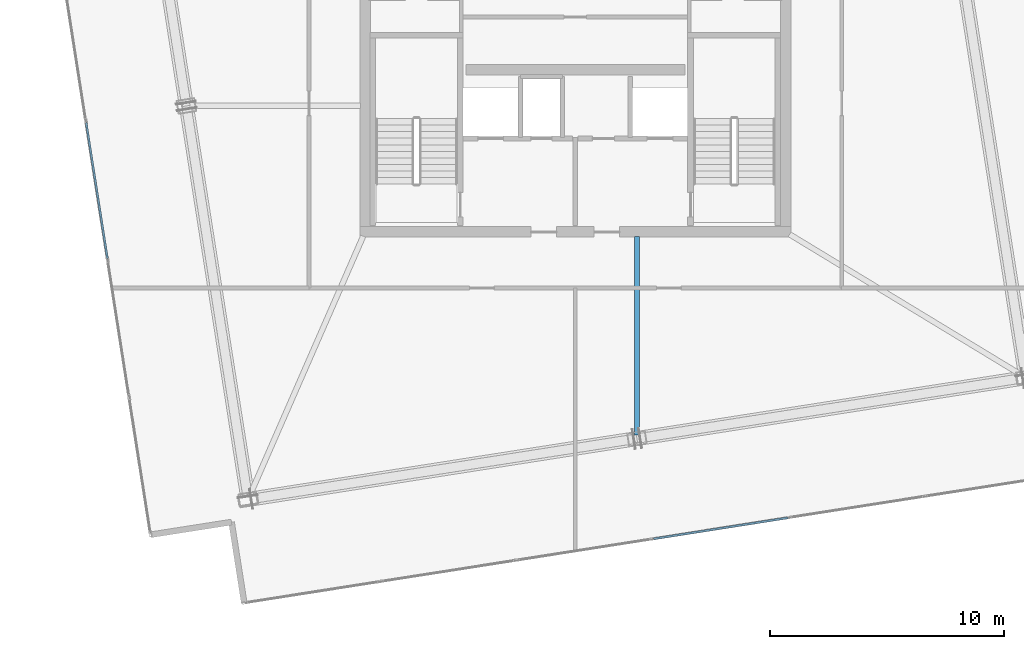
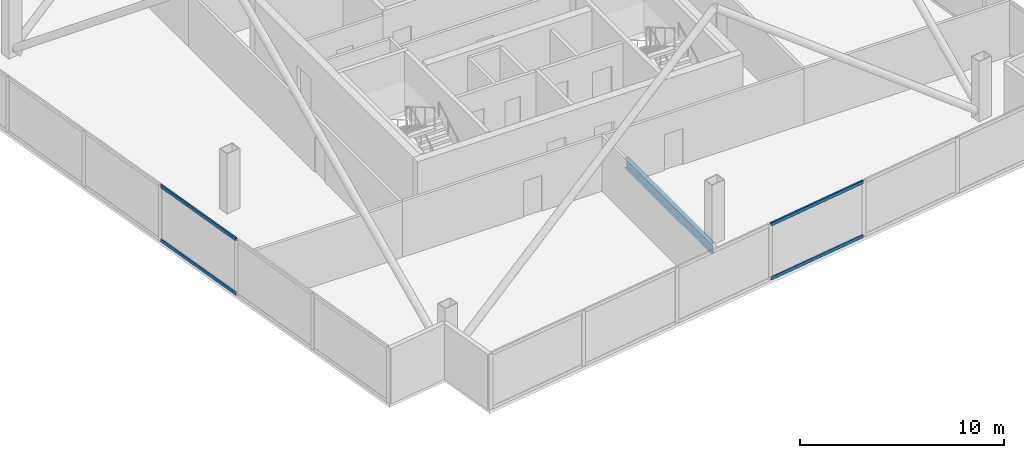
# One storey, part 5 of 21: 4 members, 1 beam, 2 elements without a shape of their own.
"""IFC4 building model written with IfcOpenShell, lengths in metres."""

from ifc_helpers import new_model, si_unit, direction, frame, origin, origin_2d, place, context, subcontext, project, spatial, hollow_rectangle, i_section, extrude, material, material_profile, profile_set, type_object, element, aggregate, save


model = new_model("IFC4")

# Units and contexts
model_context = context("Model", 3, precision=1e-05, world=origin(), true_north=direction((0.0, 1.0)))
body_context = subcontext(model_context, "Body", "Model", "MODEL_VIEW")
ifc_project = project(units=[si_unit("LENGTHUNIT", "METRE"), si_unit("AREAUNIT", "SQUARE_METRE"), si_unit("VOLUMEUNIT", "CUBIC_METRE"), si_unit("PLANEANGLEUNIT", "RADIAN"), si_unit("MASSUNIT", "GRAM", prefix="KILO")], contexts=[model_context])

# Site, building, storey
site_placement = place(None, origin())
site = spatial("IfcSite", under=ifc_project, at=site_placement, CompositionType="ELEMENT")
building_placement = place(site_placement, origin())
building = spatial("IfcBuilding", under=site, at=building_placement, Name="Haldenkirk Collegiate Tower", CompositionType="ELEMENT")
storey_placement = place(building_placement, frame((0.0, 0.0, 360.60009765625)))
storey = spatial("IfcBuildingStorey", under=building, at=storey_placement, Name="L91", CompositionType="ELEMENT", Elevation=360.60009765625)

# Beam
ifc_material_1 = material(Name="Steel ASTM A992 Grade 50", Category="steel")
ifc_material_profile_1 = material_profile(ifc_material_1, i_section(OverallWidth=0.22998046875, OverallDepth=0.616943359375, WebThickness=0.01318359375, FlangeThickness=0.022216796875, at=origin_2d()), Name="W24X94")
ifc_profile_set_1 = profile_set([ifc_material_profile_1], Name="Steel ASTM A992 Grade 50")
beam_type = type_object("IfcBeamType", Name="BM-GIRDER-W24X94", PredefinedType="BEAM", material=ifc_profile_set_1)
beam_placement = place(storey_placement, frame((38.6376953125, 9.305419921875, -0.57861328125), z_axis=(0.0, 1.0, 0.0), x_axis=(-1.0, 0.0, 0.0)))
element("IfcBeam", 1, at=beam_placement, inside=storey, type_object=beam_type, Name="L91 crown radial floor beam 8", PredefinedType="BEAM", context=body_context, shape_type="SweptSolid", body=[
    extrude(i_section(OverallWidth=0.22998046875, OverallDepth=0.616943359375, WebThickness=0.01318359375, FlangeThickness=0.022216796875, at=origin_2d()), origin(), (0.0, 0.0, 1.0), 8.49462890625),
])

# Curtain wall, members
ifc_material_2 = material(Name="Anodised architectural bronze aluminium", Category="aluminium")
curtain_wall_type = type_object("IfcCurtainWallType", Name="CW-SYS6-CROWN", PredefinedType="USERDEFINED", material=ifc_material_2)
curtain_wall_1_placement = place(storey_placement, origin())
curtain_wall_1 = element("IfcCurtainWall", 2, at=curtain_wall_1_placement, inside=storey, type_object=curtain_wall_type, Name="L91 Closed crown ring ceramic-fritted bronze screen curtain wall", ObjectType="UNITISED CURTAIN WALL", PredefinedType="USERDEFINED")
ifc_material_profile_2 = material_profile(ifc_material_2, hollow_rectangle(XDim=0.090087890625, YDim=0.18994140625, WallThickness=0.0048828125, at=origin_2d()), Name="CW-TRN-06")
ifc_profile_set_2 = profile_set([ifc_material_profile_2], Name="Anodised architectural bronze aluminium")
member_type = type_object("IfcMemberType", Name="CW-TRN-06", PredefinedType="USERDEFINED", material=ifc_profile_set_2)
member_1_placement = place(storey_placement, frame((15.971435546875, 16.869873046875, 0.044921875), z_axis=(-0.154710174658, 0.987959898912, 0.0), x_axis=(-0.987959898912, -0.154710174658, 0.0)))
member_1 = element("IfcMember", 3, at=member_1_placement, type_object=member_type, Name="CW-06 transom 3.1", ObjectType="TRANSOM", PredefinedType="USERDEFINED", context=body_context, shape_type="SweptSolid", body=[
    extrude(hollow_rectangle(XDim=0.090087890625, YDim=0.18994140625, WallThickness=0.0048828125, at=origin_2d()), origin(), (0.0, 0.0, 1.0), 5.876708984375),
])
member_2_placement = place(storey_placement, frame((15.971435546875, 16.869873046875, 3.284912109375), z_axis=(-0.154710174658, 0.987959898912, 0.0), x_axis=(-0.987959898912, -0.154710174658, 0.0)))
member_2 = element("IfcMember", 4, at=member_2_placement, type_object=member_type, Name="CW-06 transom 3.2", ObjectType="TRANSOM", PredefinedType="USERDEFINED", context=body_context, shape_type="SweptSolid", body=[
    extrude(hollow_rectangle(XDim=0.090087890625, YDim=0.18994140625, WallThickness=0.0048828125, at=origin_2d()), origin(), (0.0, 0.0, 1.0), 5.876708984375),
])
aggregate(curtain_wall_1, [member_1, member_2])

curtain_wall_2_placement = place(storey_placement, origin())
curtain_wall_2 = element("IfcCurtainWall", 5, at=curtain_wall_2_placement, inside=storey, type_object=curtain_wall_type, Name="L91 Closed crown ring ceramic-fritted bronze screen curtain wall", ObjectType="UNITISED CURTAIN WALL", PredefinedType="USERDEFINED")
member_3_placement = place(storey_placement, frame((45.09521484375, 5.763427734375, 0.044921875), z_axis=(-0.987958095237, -0.154721692257, 0.0), x_axis=(0.154721692257, -0.987958095237, 0.0)))
member_3 = element("IfcMember", 6, at=member_3_placement, type_object=member_type, Name="CW-06 transom 3.1", ObjectType="TRANSOM", PredefinedType="USERDEFINED", context=body_context, shape_type="SweptSolid", body=[
    extrude(hollow_rectangle(XDim=0.090087890625, YDim=0.18994140625, WallThickness=0.0048828125, at=origin_2d()), origin(), (0.0, 0.0, 1.0), 5.81005859375),
])
member_4_placement = place(storey_placement, frame((45.09521484375, 5.763427734375, 3.284912109375), z_axis=(-0.987958095237, -0.154721692257, 0.0), x_axis=(0.154721692257, -0.987958095237, 0.0)))
member_4 = element("IfcMember", 7, at=member_4_placement, type_object=member_type, Name="CW-06 transom 3.2", ObjectType="TRANSOM", PredefinedType="USERDEFINED", context=body_context, shape_type="SweptSolid", body=[
    extrude(hollow_rectangle(XDim=0.090087890625, YDim=0.18994140625, WallThickness=0.0048828125, at=origin_2d()), origin(), (0.0, 0.0, 1.0), 5.81005859375),
])
aggregate(curtain_wall_2, [member_3, member_4])

save(model, "model.ifc")
